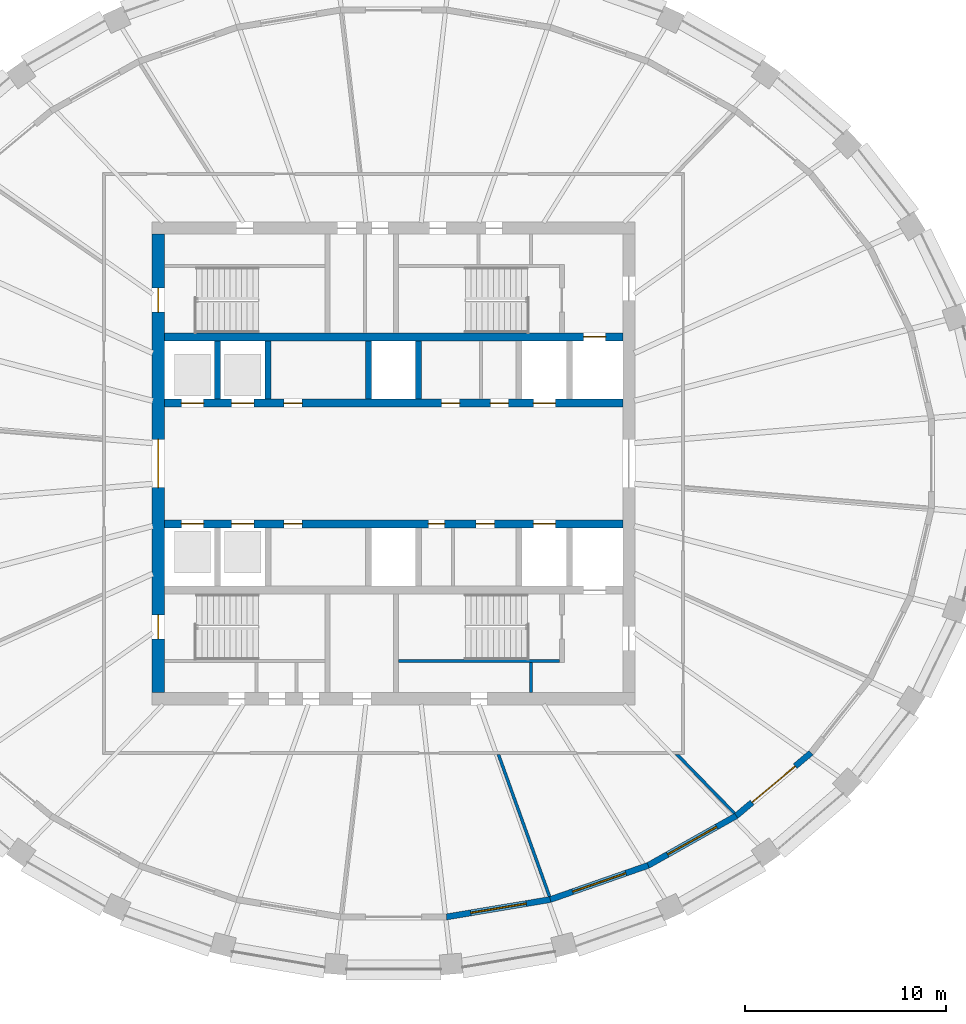
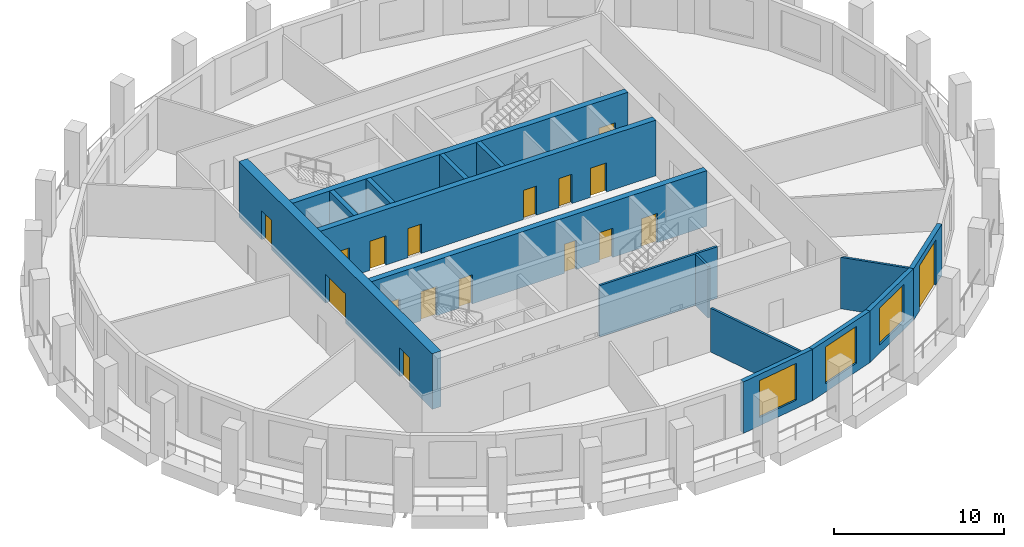
# One storey, part 4 of 10: 17 doors, 16 walls, 3 windows, 20 openings.
"""IFC4 building model written with IfcOpenShell, lengths in metres."""

import ifcopenshell
import ifcopenshell.guid

model = None  # the IFC model being written
_history = None  # IfcOwnerHistory: only IFC2X3 demands one
_inside = {}  # id of a spatial element -> (the spatial element, [elements in it])
_under = {}  # id of a project, library or spatial element -> (it, [spatial elements below it])
_declared = {}  # id of a project -> (the project, [libraries it declares])
_typed = {}  # id of a type object -> (the type object, [elements of that type])
_made_of = {}  # id of a material, layer set ... -> (it, [elements and type objects made of it])


def new_model(schema):
    """Start an empty IFC model of exactly this schema.

    Asked for "IFC4X3", IfcOpenShell would pick the latest addendum, in which some entities
    have other attributes; the version numbers below select the first issue.
    IFC2X3 requires an IfcOwnerHistory on every rooted entity: one is made here for all.
    """
    global model, _history
    if schema == "IFC4X3":
        model = ifcopenshell.file(schema_version=(4, 3, 0, 0))
    else:
        model = ifcopenshell.file(schema=schema)
    _inside.clear()
    _under.clear()
    _declared.clear()
    _typed.clear()
    _made_of.clear()
    _history = None
    if model.schema == "IFC2X3":
        org = make("IfcOrganization", Name="unknown")
        user = make(
            "IfcPersonAndOrganization",
            ThePerson=make("IfcPerson", FamilyName="unknown"),
            TheOrganization=org,
        )
        app = make(
            "IfcApplication",
            ApplicationDeveloper=org,
            Version="unknown",
            ApplicationFullName="unknown",
            ApplicationIdentifier="unknown",
        )
        _history = make(
            "IfcOwnerHistory",
            OwningUser=user,
            OwningApplication=app,
            ChangeAction="ADDED",
            CreationDate=0,
        )
    return model


def make(cls, **values):
    """One entity of the class cls with the attributes given. An attribute that is None is left unset."""
    return model.create_entity(
        cls, **{name: value for name, value in values.items() if value is not None}
    )


def rooted(cls, **values):
    """An entity with a GlobalId (a new one), such as an element, a storey or a relation."""
    return make(cls, GlobalId=ifcopenshell.guid.new(), OwnerHistory=_history, **values)


def si_unit(unit_type, name, prefix=None):
    """IfcSIUnit, for example si_unit("LENGTHUNIT", "METRE", prefix="MILLI")."""
    return make("IfcSIUnit", UnitType=unit_type, Prefix=prefix, Name=name)


def assignment(units):
    """IfcUnitAssignment: the units of a project."""
    return None if units is None else make("IfcUnitAssignment", Units=units)


def point(xyz):
    """IfcCartesianPoint."""
    return None if xyz is None else make("IfcCartesianPoint", Coordinates=xyz)


def direction(xyz):
    """IfcDirection."""
    return None if xyz is None else make("IfcDirection", DirectionRatios=xyz)


def frame(location, z_axis=None, x_axis=None):
    """IfcAxis2Placement3D, a coordinate frame: its origin and axes. An axis left out is left unset."""
    return make(
        "IfcAxis2Placement3D",
        Location=point(location),
        Axis=direction(z_axis),
        RefDirection=direction(x_axis),
    )


def frame_2d(location, x_axis=None):
    """IfcAxis2Placement2D, a coordinate frame in the plane: its origin and x axis."""
    return make(
        "IfcAxis2Placement2D", Location=point(location), RefDirection=direction(x_axis)
    )


def origin():
    """The frame at (0, 0, 0) with its axes left unset."""
    return frame((0.0, 0.0, 0.0))


def place(relative_to, where):
    """IfcLocalPlacement: puts the frame where relative to a parent placement (None: the world)."""
    return make(
        "IfcLocalPlacement", PlacementRelTo=relative_to, RelativePlacement=where
    )


def context(
    kind, dimensions, precision=None, world=None, true_north=None, identifier=None
):
    """IfcGeometricRepresentationContext, for example the 3D "Model" context."""
    return make(
        "IfcGeometricRepresentationContext",
        ContextIdentifier=identifier,
        ContextType=kind,
        CoordinateSpaceDimension=dimensions,
        Precision=precision,
        WorldCoordinateSystem=world,
        TrueNorth=true_north,
    )


def subcontext(parent, identifier, kind, view, scale=None):
    """IfcGeometricRepresentationSubContext, for example "Body" below "Model"."""
    return make(
        "IfcGeometricRepresentationSubContext",
        ContextIdentifier=identifier,
        ContextType=kind,
        ParentContext=parent,
        TargetScale=scale,
        TargetView=view,
    )


def project(units=None, contexts=None):
    """IfcProject with its units and contexts."""
    return rooted(
        "IfcProject",
        Name="project",
        RepresentationContexts=contexts,
        UnitsInContext=assignment(units),
    )


def spatial(cls, under=None, at=None, **own):
    """A site, building, storey or space (cls), placed at a placement, below another one or the project."""
    s = rooted(cls, ObjectPlacement=at, **own)
    if under is not None:
        _under.setdefault(under.id(), (under, []))[1].append(s)
    return s


def polyline(points):
    """IfcPolyline through the points."""
    return make("IfcPolyline", Points=[point(p) for p in points])


def profile(cls, at=None, kind="AREA", **sizes):
    """A parametric profile (cls). Its sizes go by their IFC names, for example OverallWidth=200.0."""
    return make(cls, ProfileType=kind, Position=at, **sizes)


def rectangle(**sizes):
    """IfcRectangleProfileDef."""
    return profile("IfcRectangleProfileDef", **sizes)


def outline(outer, holes=None, kind="AREA"):
    """IfcArbitraryClosedProfileDef: a profile drawn as a closed curve; with holes, ...WithVoids."""
    if holes is None:
        return make("IfcArbitraryClosedProfileDef", ProfileType=kind, OuterCurve=outer)
    return make(
        "IfcArbitraryProfileDefWithVoids",
        ProfileType=kind,
        OuterCurve=outer,
        InnerCurves=holes,
    )


def extrude(swept, where, along, depth):
    """IfcExtrudedAreaSolid: the profile swept, set in the frame where, extruded along a direction by depth."""
    return make(
        "IfcExtrudedAreaSolid",
        SweptArea=swept,
        Position=where,
        ExtrudedDirection=direction(along),
        Depth=depth,
    )


def shape(context_of_items, identifier, shape_type, items):
    """IfcShapeRepresentation: the items that make up one representation, for example the "Body"."""
    return make(
        "IfcShapeRepresentation",
        ContextOfItems=context_of_items,
        RepresentationIdentifier=identifier,
        RepresentationType=shape_type,
        Items=items,
    )


def material(Name=None, Category=None):
    """IfcMaterial."""
    return make("IfcMaterial", Name=Name, Category=Category)


def layer(
    of_material, thickness, ventilated=None, Name=None, Category=None, Priority=None
):
    """IfcMaterialLayer: one layer of a wall or slab, of a material (None: an air gap)."""
    return make(
        "IfcMaterialLayer",
        Material=of_material,
        LayerThickness=thickness,
        IsVentilated=ventilated,
        Name=Name,
        Category=Category,
        Priority=Priority,
    )


def layer_set(layers, Name=None):
    """IfcMaterialLayerSet."""
    return make("IfcMaterialLayerSet", MaterialLayers=layers, LayerSetName=Name)


def made_of(thing, what):
    """Note that an element or type object is made of a material, layer set ...; save() writes the relation."""
    if what is not None:
        _made_of.setdefault(what.id(), (what, []))[1].append(thing)
    return thing


def type_object(cls, material=None, **own):
    """A type object (cls), such as IfcWallType, which elements share."""
    return made_of(rooted(cls, **own), material)


def element(
    cls,
    number,
    at=None,
    inside=None,
    cuts=None,
    type_object=None,
    material=None,
    context=None,
    identifier="Body",
    shape_type=None,
    held_by="IfcProductDefinitionShape",
    body=None,
    shapes=None,
    **own,
):
    """One element of the class cls, such as IfcWall. Its Tag is "e" and its number.

    at: its placement. inside: the storey or other place that contains it. cuts: it is an
    opening in that element (IfcRelVoidsElement). A single representation is given by context,
    identifier, shape_type and body (its items); several are given by shapes. held_by: the class
    of the entity that holds the representations. save() writes the other relations.
    """
    e = rooted(cls, Tag="e%d" % number, ObjectPlacement=at, **own)
    if body is not None:
        shapes = [shape(context, identifier, shape_type, body)]
    if shapes is not None:
        e.Representation = make(held_by, Representations=shapes)
    if inside is not None:
        _inside.setdefault(inside.id(), (inside, []))[1].append(e)
    if cuts is not None:
        rooted(
            "IfcRelVoidsElement", RelatingBuildingElement=cuts, RelatedOpeningElement=e
        )
    if type_object is not None:
        _typed.setdefault(type_object.id(), (type_object, []))[1].append(e)
    return made_of(e, material)


def fill(opening, filler):
    """IfcRelFillsElement: the door or window that sits in an opening."""
    return rooted(
        "IfcRelFillsElement",
        RelatingOpeningElement=opening,
        RelatedBuildingElement=filler,
    )


def aggregate(whole, parts):
    """IfcRelAggregates: a whole, such as a stair, and the parts it consists of."""
    return rooted("IfcRelAggregates", RelatingObject=whole, RelatedObjects=parts)


def save(model, path):
    """Write the relations noted so far, then the file.

    IfcRelAggregates (storeys below a building ...), IfcRelContainedInSpatialStructure (elements
    in a storey), IfcRelDefinesByType, IfcRelAssociatesMaterial and IfcRelDeclares: one each for
    every whole, place, type object, material and project.
    """
    for whole, parts in _under.values():
        aggregate(whole, parts)
    for where, things in _inside.values():
        rooted(
            "IfcRelContainedInSpatialStructure",
            RelatedElements=things,
            RelatingStructure=where,
        )
    for kind, things in _typed.values():
        rooted("IfcRelDefinesByType", RelatedObjects=things, RelatingType=kind)
    for what, things in _made_of.values():
        rooted("IfcRelAssociatesMaterial", RelatedObjects=things, RelatingMaterial=what)
    for by, libraries in _declared.values():
        rooted("IfcRelDeclares", RelatingContext=by, RelatedDefinitions=libraries)
    model.write(path)


model = new_model("IFC4")

# Units and contexts
model_context = context("Model", 3, precision=1e-05, world=origin(), true_north=direction((0.0, 1.0)))
body_context = subcontext(model_context, "Body", "Model", "MODEL_VIEW")
ifc_project = project(units=[si_unit("LENGTHUNIT", "METRE"), si_unit("AREAUNIT", "SQUARE_METRE"), si_unit("VOLUMEUNIT", "CUBIC_METRE"), si_unit("PLANEANGLEUNIT", "RADIAN"), si_unit("MASSUNIT", "GRAM", prefix="KILO")], contexts=[model_context])

# Site, building, storey
site_placement = place(None, origin())
site = spatial("IfcSite", under=ifc_project, at=site_placement, CompositionType="ELEMENT")
building_placement = place(site_placement, origin())
building = spatial("IfcBuilding", under=site, at=building_placement, Name="Halqa Exchange Tower", CompositionType="ELEMENT")
storey_placement = place(building_placement, frame((0.0, 0.0, 288.300048828125)))
storey = spatial("IfcBuildingStorey", under=building, at=storey_placement, Name="L67", CompositionType="ELEMENT", Elevation=288.300048828125)

# Walls
ifc_material_1 = material(Name="Fire-rated gypsum board")
ifc_layer_1 = layer(ifc_material_1, 0.14990234375)
ifc_layer_set_1 = layer_set([ifc_layer_1], Name="Fire-rated gypsum board")
wall_type_1 = type_object("IfcWallType", Name="Fire partition EI 60 150", PredefinedType="PARTITIONING", material=ifc_layer_set_1)
wall_1_placement = place(storey_placement, frame((5.2080078125, -14.449951171875, 0.0), z_axis=(0.0, 0.0, 1.0), x_axis=(0.338585214783, -0.940935732306, 0.0)))
element("IfcWall", 1, at=wall_1_placement, inside=storey, type_object=wall_type_1, Name="L67-PWL-010", PredefinedType="PARTITIONING", context=body_context, shape_type="SweptSolid", body=[
    extrude(outline(polyline([(0.0, -0.074951171875), (1.880126953125, -0.074951171875), (3.76025390625, -0.074951171875), (5.640380859375, -0.074951171875), (7.5205078125, -0.074951171875), (7.533935546875, -0.000732421875), (7.534423828125, 0.054931640625), (7.534423828125, 0.074951171875), (5.664306640625, 0.074951171875), (3.7939453125, 0.074951171875), (1.923828125, 0.074951171875), (0.0537109375, 0.074951171875), (0.0, -0.073974609375), (0.0, -0.074951171875)])), origin(), (0.0, 0.0, 1.0), 3.14990234375),
])
wall_2_placement = place(storey_placement, frame((16.958251953125, -17.40283203125, 0.0), z_axis=(0.0, 0.0, 1.0), x_axis=(-0.698164782934, 0.715937103293, 0.0)))
element("IfcWall", 2, at=wall_2_placement, inside=storey, type_object=wall_type_1, Name="L67-PWL-015", PredefinedType="PARTITIONING", context=body_context, shape_type="SweptSolid", body=[
    extrude(outline(polyline([(0.0, -0.074951171875), (1.3388671875, -0.074951171875), (2.677734375, -0.074951171875), (4.016357421875, -0.074951171875), (4.0693359375, -0.020751953125), (4.0693359375, -0.020751953125), (4.162353515625, 0.07470703125), (4.162353515625, 0.074951171875), (2.783203125, 0.074951171875), (1.404052734375, 0.074951171875), (0.02490234375, 0.074951171875), (0.0048828125, -0.000244140625), (0.0, -0.0673828125), (0.0, -0.074951171875)])), origin(), (0.0, 0.0, 1.0), 3.699951171875),
])
ifc_material_2 = material(Name="Gypsum board")
ifc_layer_2 = layer(ifc_material_2, 0.14990234375)
ifc_layer_set_2 = layer_set([ifc_layer_2], Name="Gypsum board")
wall_type_2 = type_object("IfcWallType", Name="Penthouse riser wall 150 gypsum", PredefinedType="PARTITIONING", material=ifc_layer_set_2)
wall_3_placement = place(storey_placement, frame((6.824951171875, -11.39990234375, 0.0), z_axis=(0.0, 0.0, 1.0), x_axis=(0.0, 1.0, 0.0)))
element("IfcWall", 3, at=wall_3_placement, inside=storey, type_object=wall_type_2, Name="Firefighting lobby west wall S", PredefinedType="PARTITIONING", context=body_context, shape_type="SweptSolid", body=[
    extrude(rectangle(XDim=1.5, YDim=0.14990234375, at=frame_2d((0.75, 0.0))), origin(), (0.0, 0.0, 1.0), 3.699951171875),
])
ifc_material_3 = material(Name="Concrete C60/75", Category="concrete")
ifc_layer_3 = layer(ifc_material_3, 0.300048828125)
ifc_layer_set_3 = layer_set([ifc_layer_3], Name="Concrete C60/75")
wall_type_3 = type_object("IfcWallType", Name="RC core wall 300", PredefinedType="SHEAR", material=ifc_layer_set_3)
for number, where, z_axis, x_axis, name in (
    (4, (-8.75, 3.199951171875, 0.0), (0.0, 0.0, 1.0), (0.0, 1.0, 0.0), "Shaft divider N1"),
    (5, (-6.25, 3.199951171875, 0.0), (0.0, 0.0, 1.0), (0.0, 1.0, 0.0), "Shaft divider N2"),
    (6, (-1.25, 3.199951171875, 0.0), (0.0, 0.0, 1.0), (0.0, 1.0, 0.0), "Shaft divider N4"),
    (7, (1.25, 3.199951171875, 0.0), (0.0, 0.0, 1.0), (0.0, 1.0, 0.0), "Shaft divider N5"),
):
    element("IfcWall", number, at=place(storey_placement, frame(where, z_axis=z_axis, x_axis=x_axis)), inside=storey, type_object=wall_type_3, Name=name, PredefinedType="SHEAR", context=body_context, shape_type="SweptSolid", body=[
        extrude(rectangle(XDim=2.900146484375, YDim=0.300048828125, at=frame_2d((1.4501953125, 0.0))), origin(), (0.0, 0.0, 1.0), 4.0),
    ])

# Wall, openings, doors
ifc_layer_4 = layer(ifc_material_3, 0.39990234375)
ifc_layer_set_4 = layer_set([ifc_layer_4], Name="Concrete C60/75")
wall_type_4 = type_object("IfcWallType", Name="RC core wall 400 C60/75", PredefinedType="SHEAR", material=ifc_layer_set_4)
wall_4_placement = place(storey_placement, frame((-11.39990234375, 3.0, 0.0), z_axis=(0.0, 0.0, 1.0), x_axis=(1.0, 0.0, 0.0)))
wall_4 = element("IfcWall", 8, at=wall_4_placement, inside=storey, type_object=wall_type_4, Name="Lift row front wall N", PredefinedType="SHEAR", context=body_context, shape_type="SweptSolid", body=[
    extrude(rectangle(XDim=22.7998046875, YDim=0.39990234375, at=frame_2d((11.39990234375, 0.0))), origin(), (0.0, 0.0, 1.0), 4.0),
])
opening_1_placement = place(wall_4_placement, frame((0.85009765625, 0.0, 0.0)))
opening_1 = element("IfcOpeningElement", 9, at=opening_1_placement, cuts=wall_4, Name="Opening LD-HR1-T20", PredefinedType="OPENING", context=body_context, shape_type="SweptSolid", body=[
    extrude(rectangle(XDim=1.10009765625, YDim=2.10009765625, at=frame_2d((0.550048828125, 1.050048828125))), frame((0.0, 0.2119140625, 0.0), z_axis=(0.0, -1.0, 0.0), x_axis=(1.0, 0.0, 0.0)), (0.0, 0.0, 1.0), 0.423828125),
])
opening_2_placement = place(wall_4_placement, frame((3.35009765625, 0.0, 0.0)))
opening_2 = element("IfcOpeningElement", 10, at=opening_2_placement, cuts=wall_4, Name="Opening LD-HR2-T20", PredefinedType="OPENING", context=body_context, shape_type="SweptSolid", body=[
    extrude(rectangle(XDim=1.10009765625, YDim=2.10009765625, at=frame_2d((0.550048828125, 1.050048828125))), frame((0.0, 0.2119140625, 0.0), z_axis=(0.0, -1.0, 0.0), x_axis=(1.0, 0.0, 0.0)), (0.0, 0.0, 1.0), 0.423828125),
])
opening_3_placement = place(wall_4_placement, frame((18.35009765625, 0.0, 0.0)))
opening_3 = element("IfcOpeningElement", 11, at=opening_3_placement, cuts=wall_4, Name="Opening LD-SV1-T20", PredefinedType="OPENING", context=body_context, shape_type="SweptSolid", body=[
    extrude(rectangle(XDim=1.10009765625, YDim=2.10009765625, at=frame_2d((0.550048828125, 1.050048828125))), frame((0.0, 0.2119140625, 0.0), z_axis=(0.0, -1.0, 0.0), x_axis=(1.0, 0.0, 0.0)), (0.0, 0.0, 1.0), 0.423828125),
])
opening_4_placement = place(wall_4_placement, frame((13.78759765625, 0.0, 0.0)))
opening_4 = element("IfcOpeningElement", 12, at=opening_4_placement, cuts=wall_4, Name="Opening T20-C27", PredefinedType="OPENING", context=body_context, shape_type="SweptSolid", body=[
    extrude(rectangle(XDim=0.89990234375, YDim=2.10009765625, at=frame_2d((0.449951171875, 1.050048828125))), frame((0.0, 0.2119140625, 0.0), z_axis=(0.0, -1.0, 0.0), x_axis=(1.0, 0.0, 0.0)), (0.0, 0.0, 1.0), 0.423828125),
])
opening_5_placement = place(wall_4_placement, frame((16.21240234375, 0.0, 0.0)))
opening_5 = element("IfcOpeningElement", 13, at=opening_5_placement, cuts=wall_4, Name="Opening T20-C28", PredefinedType="OPENING", context=body_context, shape_type="SweptSolid", body=[
    extrude(rectangle(XDim=0.89990234375, YDim=2.10009765625, at=frame_2d((0.449951171875, 1.050048828125))), frame((0.0, 0.2119140625, 0.0), z_axis=(0.0, -1.0, 0.0), x_axis=(1.0, 0.0, 0.0)), (0.0, 0.0, 1.0), 0.423828125),
])
opening_6_placement = place(wall_4_placement, frame((5.949951171875, 0.0, 0.0)))
opening_6 = element("IfcOpeningElement", 14, at=opening_6_placement, cuts=wall_4, Name="Opening T20-C29", PredefinedType="OPENING", context=body_context, shape_type="SweptSolid", body=[
    extrude(rectangle(XDim=0.89990234375, YDim=2.10009765625, at=frame_2d((0.449951171875, 1.050048828125))), frame((0.0, 0.2119140625, 0.0), z_axis=(0.0, -1.0, 0.0), x_axis=(1.0, 0.0, 0.0)), (0.0, 0.0, 1.0), 0.423828125),
])
ifc_material_4 = material(Name="Timber fire door leaf", Category="wood")
door_type_1 = type_object("IfcDoorType", Name="Core room door FD30 900 x 2100", OperationType="SINGLE_SWING_LEFT", PredefinedType="DOOR", material=ifc_material_4)
door_1_placement = place(opening_4_placement, origin())
door_1 = element("IfcDoor", 15, at=door_1_placement, inside=storey, type_object=door_type_1, Name="Core room door", OperationType="SINGLE_SWING_RIGHT", OverallHeight=2.10009765625, OverallWidth=0.89990234375, PredefinedType="DOOR", context=body_context, shape_type="SweptSolid", body=[
    extrude(rectangle(XDim=0.89990234375, YDim=2.10009765625, at=frame_2d((0.449951171875, 1.050048828125))), frame((0.0, 0.02490234375, 0.0), z_axis=(0.0, -1.0, 0.0), x_axis=(1.0, 0.0, 0.0)), (0.0, 0.0, 1.0), 0.050048828125),
])
fill(opening_4, door_1)
door_2_placement = place(opening_5_placement, origin())
door_2 = element("IfcDoor", 16, at=door_2_placement, inside=storey, type_object=door_type_1, Name="Core room door", OperationType="SINGLE_SWING_LEFT", OverallHeight=2.10009765625, OverallWidth=0.89990234375, PredefinedType="DOOR", context=body_context, shape_type="SweptSolid", body=[
    extrude(rectangle(XDim=0.89990234375, YDim=2.10009765625, at=frame_2d((0.449951171875, 1.050048828125))), frame((0.0, 0.02490234375, 0.0), z_axis=(0.0, -1.0, 0.0), x_axis=(1.0, 0.0, 0.0)), (0.0, 0.0, 1.0), 0.050048828125),
])
fill(opening_5, door_2)
door_3_placement = place(opening_6_placement, origin())
door_3 = element("IfcDoor", 17, at=door_3_placement, inside=storey, type_object=door_type_1, Name="Core room door", OperationType="SINGLE_SWING_RIGHT", OverallHeight=2.10009765625, OverallWidth=0.89990234375, PredefinedType="DOOR", context=body_context, shape_type="SweptSolid", body=[
    extrude(rectangle(XDim=0.89990234375, YDim=2.10009765625, at=frame_2d((0.449951171875, 1.050048828125))), frame((0.0, 0.02490234375, 0.0), z_axis=(0.0, -1.0, 0.0), x_axis=(1.0, 0.0, 0.0)), (0.0, 0.0, 1.0), 0.050048828125),
])
fill(opening_6, door_3)
ifc_material_5 = material(Name="Stainless steel", Category="steel")
door_type_2 = type_object("IfcDoorType", Name="Lift landing door 1100 x 2100", OperationType="SLIDING_TO_LEFT", PredefinedType="DOOR", material=ifc_material_5)
door_4_placement = place(opening_1_placement, origin())
door_4 = element("IfcDoor", 18, at=door_4_placement, inside=storey, type_object=door_type_2, Name="Lift landing door HR1", OperationType="SLIDING_TO_LEFT", OverallHeight=2.10009765625, OverallWidth=1.10009765625, PredefinedType="DOOR", context=body_context, shape_type="SweptSolid", body=[
    extrude(rectangle(XDim=1.10009765625, YDim=2.10009765625, at=frame_2d((0.550048828125, 1.050048828125))), frame((0.0, 0.02490234375, 0.0), z_axis=(0.0, -1.0, 0.0), x_axis=(1.0, 0.0, 0.0)), (0.0, 0.0, 1.0), 0.050048828125),
])
fill(opening_1, door_4)
door_5_placement = place(opening_2_placement, origin())
door_5 = element("IfcDoor", 19, at=door_5_placement, inside=storey, type_object=door_type_2, Name="Lift landing door HR2", OperationType="SLIDING_TO_LEFT", OverallHeight=2.10009765625, OverallWidth=1.10009765625, PredefinedType="DOOR", context=body_context, shape_type="SweptSolid", body=[
    extrude(rectangle(XDim=1.10009765625, YDim=2.10009765625, at=frame_2d((0.550048828125, 1.050048828125))), frame((0.0, 0.02490234375, 0.0), z_axis=(0.0, -1.0, 0.0), x_axis=(1.0, 0.0, 0.0)), (0.0, 0.0, 1.0), 0.050048828125),
])
fill(opening_2, door_5)
door_6_placement = place(opening_3_placement, origin())
door_6 = element("IfcDoor", 20, at=door_6_placement, inside=storey, type_object=door_type_2, Name="Lift landing door SV1", OperationType="SLIDING_TO_LEFT", OverallHeight=2.10009765625, OverallWidth=1.10009765625, PredefinedType="DOOR", context=body_context, shape_type="SweptSolid", body=[
    extrude(rectangle(XDim=1.10009765625, YDim=2.10009765625, at=frame_2d((0.550048828125, 1.050048828125))), frame((0.0, 0.02490234375, 0.0), z_axis=(0.0, -1.0, 0.0), x_axis=(1.0, 0.0, 0.0)), (0.0, 0.0, 1.0), 0.050048828125),
])
fill(opening_3, door_6)

# Wall, opening, door
wall_5_placement = place(storey_placement, frame((-11.39990234375, 6.300048828125, 0.0), z_axis=(0.0, 0.0, 1.0), x_axis=(1.0, 0.0, 0.0)))
wall_5 = element("IfcWall", 21, at=wall_5_placement, inside=storey, type_object=wall_type_4, Name="Lift row back wall N", PredefinedType="SHEAR", context=body_context, shape_type="SweptSolid", body=[
    extrude(rectangle(XDim=22.7998046875, YDim=0.39990234375, at=frame_2d((11.39990234375, 0.0))), origin(), (0.0, 0.0, 1.0), 4.0),
])
opening_7_placement = place(wall_5_placement, frame((20.85009765625, 0.0, 0.0)))
opening_7 = element("IfcOpeningElement", 22, at=opening_7_placement, cuts=wall_5, Name="Opening LD-FF1-T20", PredefinedType="OPENING", context=body_context, shape_type="SweptSolid", body=[
    extrude(rectangle(XDim=1.10009765625, YDim=2.10009765625, at=frame_2d((0.550048828125, 1.050048828125))), frame((0.0, 0.2119140625, 0.0), z_axis=(0.0, -1.0, 0.0), x_axis=(1.0, 0.0, 0.0)), (0.0, 0.0, 1.0), 0.423828125),
])
door_7_placement = place(opening_7_placement, origin())
door_7 = element("IfcDoor", 23, at=door_7_placement, inside=storey, type_object=door_type_2, Name="Lift landing door FF1", OperationType="SLIDING_TO_LEFT", OverallHeight=2.10009765625, OverallWidth=1.10009765625, PredefinedType="DOOR", context=body_context, shape_type="SweptSolid", body=[
    extrude(rectangle(XDim=1.10009765625, YDim=2.10009765625, at=frame_2d((0.550048828125, 1.050048828125))), frame((0.0, 0.02490234375, 0.0), z_axis=(0.0, -1.0, 0.0), x_axis=(1.0, 0.0, 0.0)), (0.0, 0.0, 1.0), 0.050048828125),
])
fill(opening_7, door_7)

# Wall, openings, doors
wall_6_placement = place(storey_placement, frame((-11.39990234375, -3.0, 0.0), z_axis=(0.0, 0.0, 1.0), x_axis=(1.0, 0.0, 0.0)))
wall_6 = element("IfcWall", 24, at=wall_6_placement, inside=storey, type_object=wall_type_4, Name="Lift row front wall S", PredefinedType="SHEAR", context=body_context, shape_type="SweptSolid", body=[
    extrude(rectangle(XDim=22.7998046875, YDim=0.39990234375, at=frame_2d((11.39990234375, 0.0))), origin(), (0.0, 0.0, 1.0), 4.0),
])
opening_8_placement = place(wall_6_placement, frame((0.85009765625, 0.0, 0.0)))
opening_8 = element("IfcOpeningElement", 25, at=opening_8_placement, cuts=wall_6, Name="Opening LD-HR3-T20", PredefinedType="OPENING", context=body_context, shape_type="SweptSolid", body=[
    extrude(rectangle(XDim=1.10009765625, YDim=2.10009765625, at=frame_2d((0.550048828125, 1.050048828125))), frame((0.0, 0.2119140625, 0.0), z_axis=(0.0, -1.0, 0.0), x_axis=(1.0, 0.0, 0.0)), (0.0, 0.0, 1.0), 0.423828125),
])
opening_9_placement = place(wall_6_placement, frame((3.35009765625, 0.0, 0.0)))
opening_9 = element("IfcOpeningElement", 26, at=opening_9_placement, cuts=wall_6, Name="Opening LD-HR4-T20", PredefinedType="OPENING", context=body_context, shape_type="SweptSolid", body=[
    extrude(rectangle(XDim=1.10009765625, YDim=2.10009765625, at=frame_2d((0.550048828125, 1.050048828125))), frame((0.0, 0.2119140625, 0.0), z_axis=(0.0, -1.0, 0.0), x_axis=(1.0, 0.0, 0.0)), (0.0, 0.0, 1.0), 0.423828125),
])
opening_10_placement = place(wall_6_placement, frame((18.35009765625, 0.0, 0.0)))
opening_10 = element("IfcOpeningElement", 27, at=opening_10_placement, cuts=wall_6, Name="Opening LD-SV2-T20", PredefinedType="OPENING", context=body_context, shape_type="SweptSolid", body=[
    extrude(rectangle(XDim=1.10009765625, YDim=2.10009765625, at=frame_2d((0.550048828125, 1.050048828125))), frame((0.0, 0.2119140625, 0.0), z_axis=(0.0, -1.0, 0.0), x_axis=(1.0, 0.0, 0.0)), (0.0, 0.0, 1.0), 0.423828125),
])
opening_11_placement = place(wall_6_placement, frame((13.137451171875, 0.0, 0.0)))
opening_11 = element("IfcOpeningElement", 28, at=opening_11_placement, cuts=wall_6, Name="Opening T20-C30", PredefinedType="OPENING", context=body_context, shape_type="SweptSolid", body=[
    extrude(rectangle(XDim=0.800048828125, YDim=2.10009765625, at=frame_2d((0.39990234375, 1.050048828125))), frame((0.0, 0.2119140625, 0.0), z_axis=(0.0, -1.0, 0.0), x_axis=(1.0, 0.0, 0.0)), (0.0, 0.0, 1.0), 0.423828125),
])
opening_12_placement = place(wall_6_placement, frame((15.512451171875, 0.0, 0.0)))
opening_12 = element("IfcOpeningElement", 29, at=opening_12_placement, cuts=wall_6, Name="Opening T20-C31", PredefinedType="OPENING", context=body_context, shape_type="SweptSolid", body=[
    extrude(rectangle(XDim=0.89990234375, YDim=2.10009765625, at=frame_2d((0.449951171875, 1.050048828125))), frame((0.0, 0.2119140625, 0.0), z_axis=(0.0, -1.0, 0.0), x_axis=(1.0, 0.0, 0.0)), (0.0, 0.0, 1.0), 0.423828125),
])
opening_13_placement = place(wall_6_placement, frame((5.949951171875, 0.0, 0.0)))
opening_13 = element("IfcOpeningElement", 30, at=opening_13_placement, cuts=wall_6, Name="Opening T20-C32", PredefinedType="OPENING", context=body_context, shape_type="SweptSolid", body=[
    extrude(rectangle(XDim=0.89990234375, YDim=2.10009765625, at=frame_2d((0.449951171875, 1.050048828125))), frame((0.0, 0.2119140625, 0.0), z_axis=(0.0, -1.0, 0.0), x_axis=(1.0, 0.0, 0.0)), (0.0, 0.0, 1.0), 0.423828125),
])
door_8_placement = place(opening_12_placement, frame((0.89990234375, 0.0, 0.0), z_axis=(0.0, 0.0, 1.0), x_axis=(-1.0, 0.0, 0.0)))
door_8 = element("IfcDoor", 31, at=door_8_placement, inside=storey, type_object=door_type_1, Name="Core room door", OperationType="SINGLE_SWING_LEFT", OverallHeight=2.10009765625, OverallWidth=0.89990234375, PredefinedType="DOOR", context=body_context, shape_type="SweptSolid", body=[
    extrude(rectangle(XDim=0.89990234375, YDim=2.10009765625, at=frame_2d((0.449951171875, 1.050048828125))), frame((0.0, 0.02490234375, 0.0), z_axis=(0.0, -1.0, 0.0), x_axis=(1.0, 0.0, 0.0)), (0.0, 0.0, 1.0), 0.050048828125),
])
fill(opening_12, door_8)
door_9_placement = place(opening_13_placement, frame((0.89990234375, 0.0, 0.0), z_axis=(0.0, 0.0, 1.0), x_axis=(-1.0, 0.0, 0.0)))
door_9 = element("IfcDoor", 32, at=door_9_placement, inside=storey, type_object=door_type_1, Name="Core room door", OperationType="SINGLE_SWING_LEFT", OverallHeight=2.10009765625, OverallWidth=0.89990234375, PredefinedType="DOOR", context=body_context, shape_type="SweptSolid", body=[
    extrude(rectangle(XDim=0.89990234375, YDim=2.10009765625, at=frame_2d((0.449951171875, 1.050048828125))), frame((0.0, 0.02490234375, 0.0), z_axis=(0.0, -1.0, 0.0), x_axis=(1.0, 0.0, 0.0)), (0.0, 0.0, 1.0), 0.050048828125),
])
fill(opening_13, door_9)
door_10_placement = place(opening_8_placement, origin())
door_10 = element("IfcDoor", 33, at=door_10_placement, inside=storey, type_object=door_type_2, Name="Lift landing door HR3", OperationType="SLIDING_TO_LEFT", OverallHeight=2.10009765625, OverallWidth=1.10009765625, PredefinedType="DOOR", context=body_context, shape_type="SweptSolid", body=[
    extrude(rectangle(XDim=1.10009765625, YDim=2.10009765625, at=frame_2d((0.550048828125, 1.050048828125))), frame((0.0, 0.02490234375, 0.0), z_axis=(0.0, -1.0, 0.0), x_axis=(1.0, 0.0, 0.0)), (0.0, 0.0, 1.0), 0.050048828125),
])
fill(opening_8, door_10)
door_11_placement = place(opening_9_placement, origin())
door_11 = element("IfcDoor", 34, at=door_11_placement, inside=storey, type_object=door_type_2, Name="Lift landing door HR4", OperationType="SLIDING_TO_LEFT", OverallHeight=2.10009765625, OverallWidth=1.10009765625, PredefinedType="DOOR", context=body_context, shape_type="SweptSolid", body=[
    extrude(rectangle(XDim=1.10009765625, YDim=2.10009765625, at=frame_2d((0.550048828125, 1.050048828125))), frame((0.0, 0.02490234375, 0.0), z_axis=(0.0, -1.0, 0.0), x_axis=(1.0, 0.0, 0.0)), (0.0, 0.0, 1.0), 0.050048828125),
])
fill(opening_9, door_11)
door_12_placement = place(opening_10_placement, origin())
door_12 = element("IfcDoor", 35, at=door_12_placement, inside=storey, type_object=door_type_2, Name="Lift landing door SV2", OperationType="SLIDING_TO_LEFT", OverallHeight=2.10009765625, OverallWidth=1.10009765625, PredefinedType="DOOR", context=body_context, shape_type="SweptSolid", body=[
    extrude(rectangle(XDim=1.10009765625, YDim=2.10009765625, at=frame_2d((0.550048828125, 1.050048828125))), frame((0.0, 0.02490234375, 0.0), z_axis=(0.0, -1.0, 0.0), x_axis=(1.0, 0.0, 0.0)), (0.0, 0.0, 1.0), 0.050048828125),
])
fill(opening_10, door_12)
ifc_material_6 = material(Name="Steel fire door leaf", Category="steel")
door_type_3 = type_object("IfcDoorType", Name="Riser door FD60 800 x 2100", OperationType="SINGLE_SWING_LEFT", PredefinedType="DOOR", material=ifc_material_6)
door_13_placement = place(opening_11_placement, frame((0.800048828125, 0.0, 0.0), z_axis=(0.0, 0.0, 1.0), x_axis=(-1.0, 0.0, 0.0)))
door_13 = element("IfcDoor", 36, at=door_13_placement, inside=storey, type_object=door_type_3, Name="Core room door", OperationType="SINGLE_SWING_LEFT", OverallHeight=2.10009765625, OverallWidth=0.800048828125, PredefinedType="DOOR", context=body_context, shape_type="SweptSolid", body=[
    extrude(rectangle(XDim=0.800048828125, YDim=2.10009765625, at=frame_2d((0.39990234375, 1.050048828125))), frame((0.0, 0.02490234375, 0.0), z_axis=(0.0, -1.0, 0.0), x_axis=(1.0, 0.0, 0.0)), (0.0, 0.0, 1.0), 0.050048828125),
])
fill(opening_11, door_13)

ifc_layer_5 = layer(ifc_material_3, 0.60009765625)
ifc_layer_set_5 = layer_set([ifc_layer_5], Name="Concrete C60/75")
wall_type_5 = type_object("IfcWallType", Name="RC core wall 600 C60/75", PredefinedType="SHEAR", material=ifc_layer_set_5)
wall_7_placement = place(storey_placement, frame((-11.699951171875, -11.39990234375, 0.0), z_axis=(0.0, 0.0, 1.0), x_axis=(0.0, 1.0, 0.0)))
wall_7 = element("IfcWall", 37, at=wall_7_placement, inside=storey, type_object=wall_type_5, Name="Core wall west", PredefinedType="SHEAR", context=body_context, shape_type="SweptSolid", body=[
    extrude(rectangle(XDim=22.7998046875, YDim=0.60009765625, at=frame_2d((11.39990234375, 0.0))), origin(), (0.0, 0.0, 1.0), 4.0),
])
opening_14_placement = place(wall_7_placement, frame((10.199951171875, 0.0, 0.0)))
opening_14 = element("IfcOpeningElement", 38, at=opening_14_placement, cuts=wall_7, Name="Opening T20-C09", PredefinedType="OPENING", context=body_context, shape_type="SweptSolid", body=[
    extrude(rectangle(XDim=2.39990234375, YDim=2.10009765625, at=frame_2d((1.199951171875, 1.050048828125))), frame((0.0, 0.31201171875, 0.0), z_axis=(0.0, -1.0, 0.0), x_axis=(1.0, 0.0, 0.0)), (0.0, 0.0, 1.0), 0.6240234375),
])
opening_15_placement = place(wall_7_placement, frame((18.925048828125, 0.0, 0.0)))
opening_15 = element("IfcOpeningElement", 39, at=opening_15_placement, cuts=wall_7, Name="Opening T20-C11", PredefinedType="OPENING", context=body_context, shape_type="SweptSolid", body=[
    extrude(rectangle(XDim=1.199951171875, YDim=2.10009765625, at=frame_2d((0.60009765625, 1.050048828125))), frame((0.0, 0.31201171875, 0.0), z_axis=(0.0, -1.0, 0.0), x_axis=(1.0, 0.0, 0.0)), (0.0, 0.0, 1.0), 0.6240234375),
])
opening_16_placement = place(wall_7_placement, frame((2.675048828125, 0.0, 0.0)))
opening_16 = element("IfcOpeningElement", 40, at=opening_16_placement, cuts=wall_7, Name="Opening T20-C13", PredefinedType="OPENING", context=body_context, shape_type="SweptSolid", body=[
    extrude(rectangle(XDim=1.199951171875, YDim=2.10009765625, at=frame_2d((0.60009765625, 1.050048828125))), frame((0.0, 0.31201171875, 0.0), z_axis=(0.0, -1.0, 0.0), x_axis=(1.0, 0.0, 0.0)), (0.0, 0.0, 1.0), 0.6240234375),
])
door_type_4 = type_object("IfcDoorType", Name="Lobby double door FD60 2400 x 2100", OperationType="DOUBLE_DOOR_SINGLE_SWING", PredefinedType="DOOR", material=ifc_material_6)
door_14_placement = place(opening_14_placement, frame((2.39990234375, 0.0, 0.0), z_axis=(0.0, 0.0, 1.0), x_axis=(-1.0, 0.0, 0.0)))
door_14 = element("IfcDoor", 41, at=door_14_placement, inside=storey, type_object=door_type_4, Name="Lift lobby double door", OperationType="DOUBLE_DOOR_SINGLE_SWING", OverallHeight=2.10009765625, OverallWidth=2.39990234375, PredefinedType="DOOR", context=body_context, shape_type="SweptSolid", body=[
    extrude(rectangle(XDim=2.39990234375, YDim=2.10009765625, at=frame_2d((1.199951171875, 1.050048828125))), frame((0.0, 0.02490234375, 0.0), z_axis=(0.0, -1.0, 0.0), x_axis=(1.0, 0.0, 0.0)), (0.0, 0.0, 1.0), 0.050048828125),
])
fill(opening_14, door_14)
door_type_5 = type_object("IfcDoorType", Name="Stair door FD90 1200 x 2100", OperationType="SINGLE_SWING_LEFT", PredefinedType="DOOR", material=ifc_material_6)
door_15_placement = place(opening_15_placement, frame((1.199951171875, 0.0, 0.0), z_axis=(0.0, 0.0, 1.0), x_axis=(-1.0, 0.0, 0.0)))
door_15 = element("IfcDoor", 42, at=door_15_placement, inside=storey, type_object=door_type_5, Name="Stair door ST1", OperationType="SINGLE_SWING_LEFT", OverallHeight=2.10009765625, OverallWidth=1.199951171875, PredefinedType="DOOR", context=body_context, shape_type="SweptSolid", body=[
    extrude(rectangle(XDim=1.199951171875, YDim=2.10009765625, at=frame_2d((0.60009765625, 1.050048828125))), frame((0.0, 0.02490234375, 0.0), z_axis=(0.0, -1.0, 0.0), x_axis=(1.0, 0.0, 0.0)), (0.0, 0.0, 1.0), 0.050048828125),
])
fill(opening_15, door_15)
door_16_placement = place(opening_16_placement, frame((1.199951171875, 0.0, 0.0), z_axis=(0.0, 0.0, 1.0), x_axis=(-1.0, 0.0, 0.0)))
door_16 = element("IfcDoor", 43, at=door_16_placement, inside=storey, type_object=door_type_5, Name="Stair door ST3", OperationType="SINGLE_SWING_LEFT", OverallHeight=2.10009765625, OverallWidth=1.199951171875, PredefinedType="DOOR", context=body_context, shape_type="SweptSolid", body=[
    extrude(rectangle(XDim=1.199951171875, YDim=2.10009765625, at=frame_2d((0.60009765625, 1.050048828125))), frame((0.0, 0.02490234375, 0.0), z_axis=(0.0, -1.0, 0.0), x_axis=(1.0, 0.0, 0.0)), (0.0, 0.0, 1.0), 0.050048828125),
])
fill(opening_16, door_16)

# Wall
ifc_material_7 = material(Name="Concrete C30/37", Category="concrete")
ifc_layer_6 = layer(ifc_material_7, 0.14990234375)
ifc_layer_set_6 = layer_set([ifc_layer_6], Name="Concrete C30/37")
wall_type_6 = type_object("IfcWallType", Name="RC stair wall 150 C30/37", PredefinedType="SHEAR", material=ifc_layer_set_6)
wall_8_placement = place(storey_placement, frame((0.25, -9.824951171875, 0.0), z_axis=(0.0, 0.0, 1.0), x_axis=(1.0, 0.0, 0.0)))
element("IfcWall", 44, at=wall_8_placement, inside=storey, type_object=wall_type_6, Name="Stair ST2 north wall S", PredefinedType="SHEAR", context=body_context, shape_type="SweptSolid", body=[
    extrude(rectangle(XDim=8.0, YDim=0.14990234375, at=frame_2d((4.0, 0.0))), origin(), (0.0, 0.0, 1.0), 3.699951171875),
])

# Wall, opening, window
ifc_material_8 = material(Name="Limestone cladding", Category="masonry")
ifc_layer_7 = layer(ifc_material_8, 0.0400390625)
ifc_material_9 = material(Name="Ventilated cavity")
ifc_layer_8 = layer(ifc_material_9, 0.030029296875, ventilated=True)
ifc_material_10 = material(Name="Mineral wool insulation")
ifc_layer_9 = layer(ifc_material_10, 0.10009765625)
ifc_layer_10 = layer(ifc_material_7, 0.10009765625)
ifc_material_11 = material(Name="Internal plaster")
ifc_layer_11 = layer(ifc_material_11, 0.030029296875)
ifc_layer_set_7 = layer_set([ifc_layer_7, ifc_layer_8, ifc_layer_9, ifc_layer_10, ifc_layer_11], Name="Stone-faced insulated wall 300")
wall_type_7 = type_object("IfcWallType", Name="Stone-faced insulated wall 300", PredefinedType="STANDARD", material=ifc_layer_set_7)
wall_9_placement = place(storey_placement, frame((2.632080078125, -22.5498046875, 0.0), z_axis=(0.0, 0.0, 1.0), x_axis=(0.986257472007, 0.165215613396, 0.0)))
wall_9 = element("IfcWall", 45, at=wall_9_placement, inside=storey, type_object=wall_type_7, Name="Glass-line wall 25", PredefinedType="STANDARD", context=body_context, shape_type="SweptSolid", body=[
    extrude(outline(polyline([(-0.012451171875, -0.14990234375), (5.248291015625, -0.14990234375), (5.222900390625, 0.14990234375), (0.012451171875, 0.14990234375), (-0.012451171875, -0.14990234375)])), origin(), (0.0, 0.0, 1.0), 3.699951171875),
])
opening_17_placement = place(wall_9_placement, frame((1.2177734375, 0.0, 0.60009765625)))
opening_17 = element("IfcOpeningElement", 46, at=opening_17_placement, cuts=wall_9, Name="Opening W-F4-25", PredefinedType="OPENING", context=body_context, shape_type="SweptSolid", body=[
    extrude(rectangle(XDim=2.800048828125, YDim=2.64990234375, at=frame_2d((1.39990234375, 1.324951171875))), frame((0.0, 0.162109375, 0.0), z_axis=(0.0, -1.0, 0.0), x_axis=(1.0, 0.0, 0.0)), (0.0, 0.0, 1.0), 0.323974609375),
])
ifc_material_12 = material(Name="Clear low-emissivity glass in aluminium frame", Category="aluminium")
window_type = type_object("IfcWindowType", Name="Fixed clear glazed window 2800 x 2650", PartitioningType="DOUBLE_PANEL_VERTICAL", PredefinedType="WINDOW", material=ifc_material_12)
window_1_placement = place(opening_17_placement, origin())
window_1 = element("IfcWindow", 47, at=window_1_placement, inside=storey, type_object=window_type, Name="Window 4", OverallHeight=2.64990234375, OverallWidth=2.800048828125, PartitioningType="DOUBLE_PANEL_VERTICAL", PredefinedType="WINDOW", context=body_context, shape_type="SweptSolid", body=[
    extrude(rectangle(XDim=2.800048828125, YDim=2.64990234375, at=frame_2d((1.39990234375, 1.324951171875))), frame((0.0, 0.030029296875, 0.0), z_axis=(0.0, -1.0, 0.0), x_axis=(1.0, 0.0, 0.0)), (0.0, 0.0, 1.0), 0.06005859375),
])
fill(opening_17, window_1)

wall_10_placement = place(storey_placement, frame((7.795654296875, -21.684814453125, 0.0), z_axis=(0.0, 0.0, 1.0), x_axis=(0.944204293701, 0.329360367617, 0.0)))
wall_10 = element("IfcWall", 48, at=wall_10_placement, inside=storey, type_object=wall_type_7, Name="Glass-line wall 26", PredefinedType="STANDARD", context=body_context, shape_type="SweptSolid", body=[
    extrude(outline(polyline([(-0.0126953125, -0.14990234375), (5.165771484375, -0.14990234375), (5.139404296875, 0.14990234375), (0.0126953125, 0.14990234375), (-0.0126953125, -0.14990234375)])), origin(), (0.0, 0.0, 1.0), 3.699951171875),
])
opening_18_placement = place(wall_10_placement, frame((1.17626953125, 0.0, 0.60009765625)))
opening_18 = element("IfcOpeningElement", 49, at=opening_18_placement, cuts=wall_10, Name="Opening W-F4-26", PredefinedType="OPENING", context=body_context, shape_type="SweptSolid", body=[
    extrude(rectangle(XDim=2.800048828125, YDim=2.64990234375, at=frame_2d((1.39990234375, 1.324951171875))), frame((0.0, 0.162109375, 0.0), z_axis=(0.0, -1.0, 0.0), x_axis=(1.0, 0.0, 0.0)), (0.0, 0.0, 1.0), 0.323974609375),
])
window_2_placement = place(opening_18_placement, origin())
window_2 = element("IfcWindow", 50, at=window_2_placement, inside=storey, type_object=window_type, Name="Window 4", OverallHeight=2.64990234375, OverallWidth=2.800048828125, PartitioningType="DOUBLE_PANEL_VERTICAL", PredefinedType="WINDOW", context=body_context, shape_type="SweptSolid", body=[
    extrude(rectangle(XDim=2.800048828125, YDim=2.64990234375, at=frame_2d((1.39990234375, 1.324951171875))), frame((0.0, 0.030029296875, 0.0), z_axis=(0.0, -1.0, 0.0), x_axis=(1.0, 0.0, 0.0)), (0.0, 0.0, 1.0), 0.06005859375),
])
fill(opening_18, window_2)

wall_11_placement = place(storey_placement, frame((12.66064453125, -19.98779296875, 0.0), z_axis=(0.0, 0.0, 1.0), x_axis=(0.871488606878, 0.490415750239, 0.0)))
wall_11 = element("IfcWall", 51, at=wall_11_placement, inside=storey, type_object=wall_type_7, Name="Glass-line wall 27", PredefinedType="STANDARD", context=body_context, shape_type="SweptSolid", body=[
    extrude(outline(polyline([(-0.01318359375, -0.14990234375), (5.040283203125, -0.14990234375), (5.011962890625, 0.14990234375), (0.01318359375, 0.14990234375), (-0.01318359375, -0.14990234375)])), origin(), (0.0, 0.0, 1.0), 3.699951171875),
])
opening_19_placement = place(wall_11_placement, frame((1.113037109375, 0.0, 0.60009765625)))
opening_19 = element("IfcOpeningElement", 52, at=opening_19_placement, cuts=wall_11, Name="Opening W-F4-27", PredefinedType="OPENING", context=body_context, shape_type="SweptSolid", body=[
    extrude(rectangle(XDim=2.800048828125, YDim=2.64990234375, at=frame_2d((1.39990234375, 1.324951171875))), frame((0.0, 0.162109375, 0.0), z_axis=(0.0, -1.0, 0.0), x_axis=(1.0, 0.0, 0.0)), (0.0, 0.0, 1.0), 0.323974609375),
])
window_3_placement = place(opening_19_placement, origin())
window_3 = element("IfcWindow", 53, at=window_3_placement, inside=storey, type_object=window_type, Name="Window 4", OverallHeight=2.64990234375, OverallWidth=2.800048828125, PartitioningType="DOUBLE_PANEL_VERTICAL", PredefinedType="WINDOW", context=body_context, shape_type="SweptSolid", body=[
    extrude(rectangle(XDim=2.800048828125, YDim=2.64990234375, at=frame_2d((1.39990234375, 1.324951171875))), frame((0.0, 0.030029296875, 0.0), z_axis=(0.0, -1.0, 0.0), x_axis=(1.0, 0.0, 0.0)), (0.0, 0.0, 1.0), 0.06005859375),
])
fill(opening_19, window_3)

# Wall, opening, door
wall_12_placement = place(storey_placement, frame((17.040771484375, -17.52294921875, 0.0), z_axis=(0.0, 0.0, 1.0), x_axis=(0.764876116592, 0.644177402792, 0.0)))
wall_12 = element("IfcWall", 54, at=wall_12_placement, inside=storey, type_object=wall_type_7, Name="Glass-line wall 28", PredefinedType="STANDARD", context=body_context, shape_type="SweptSolid", body=[
    extrude(outline(polyline([(-0.01416015625, -0.14990234375), (4.887939453125, -0.14990234375), (4.857666015625, 0.14990234375), (0.01416015625, 0.14990234375), (-0.01416015625, -0.14990234375)])), origin(), (0.0, 0.0, 1.0), 3.699951171875),
])
opening_20_placement = place(wall_12_placement, frame((1.036376953125, 0.0, 0.0)))
opening_20 = element("IfcOpeningElement", 55, at=opening_20_placement, cuts=wall_12, Name="Opening LG-F4-07", PredefinedType="OPENING", context=body_context, shape_type="SweptSolid", body=[
    extrude(rectangle(XDim=2.800048828125, YDim=3.25, at=frame_2d((1.39990234375, 1.625))), frame((0.0, 0.162109375, 0.0), z_axis=(0.0, -1.0, 0.0), x_axis=(1.0, 0.0, 0.0)), (0.0, 0.0, 1.0), 0.323974609375),
])
door_type_6 = type_object("IfcDoorType", Name="Glazed sliding loggia door 2800 x 3250", OperationType="DOUBLE_DOOR_SLIDING", PredefinedType="DOOR", material=ifc_material_12)
door_17_placement = place(opening_20_placement, origin())
door_17 = element("IfcDoor", 56, at=door_17_placement, inside=storey, type_object=door_type_6, Name="Loggia door 7", OperationType="DOUBLE_DOOR_SLIDING", OverallHeight=3.25, OverallWidth=2.800048828125, PredefinedType="DOOR", context=body_context, shape_type="SweptSolid", body=[
    extrude(rectangle(XDim=2.800048828125, YDim=3.25, at=frame_2d((1.39990234375, 1.625))), frame((0.0, 0.02490234375, 0.0), z_axis=(0.0, -1.0, 0.0), x_axis=(1.0, 0.0, 0.0)), (0.0, 0.0, 1.0), 0.050048828125),
])
fill(opening_20, door_17)

save(model, "model.ifc")
